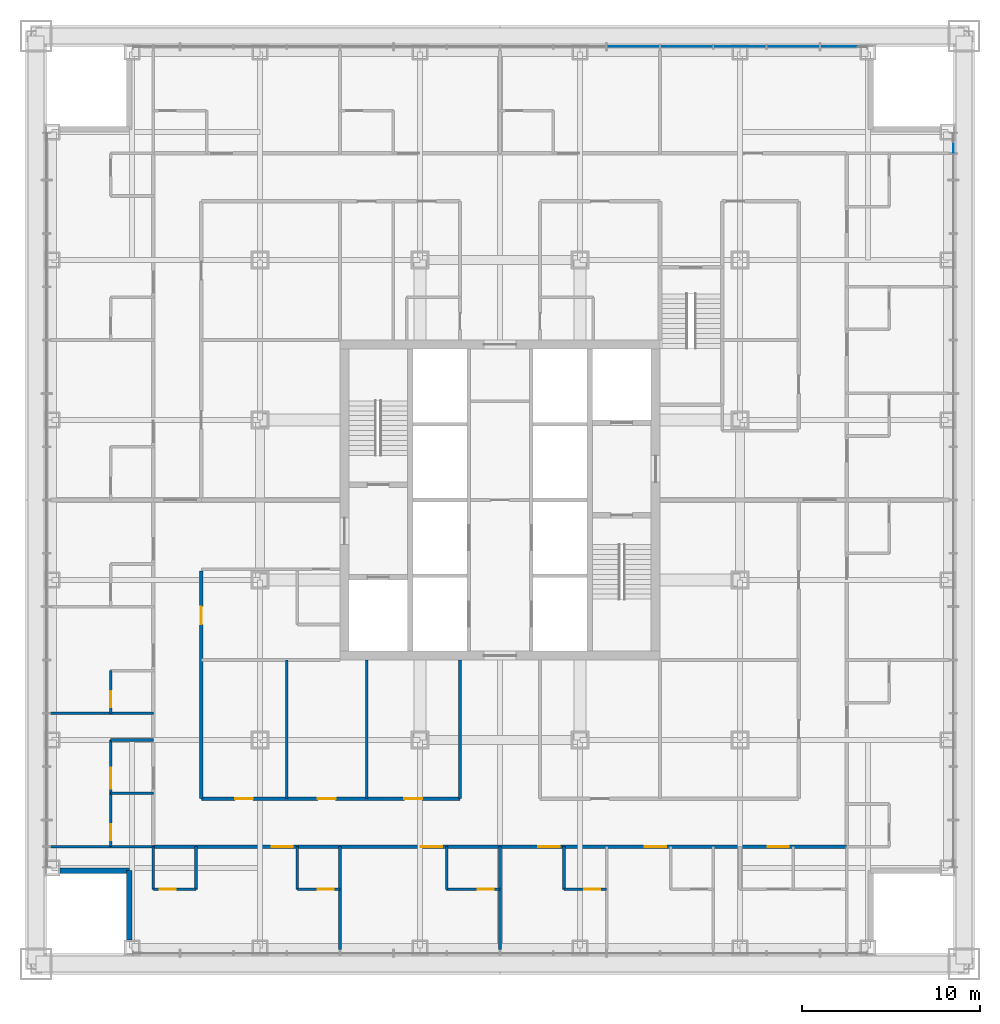
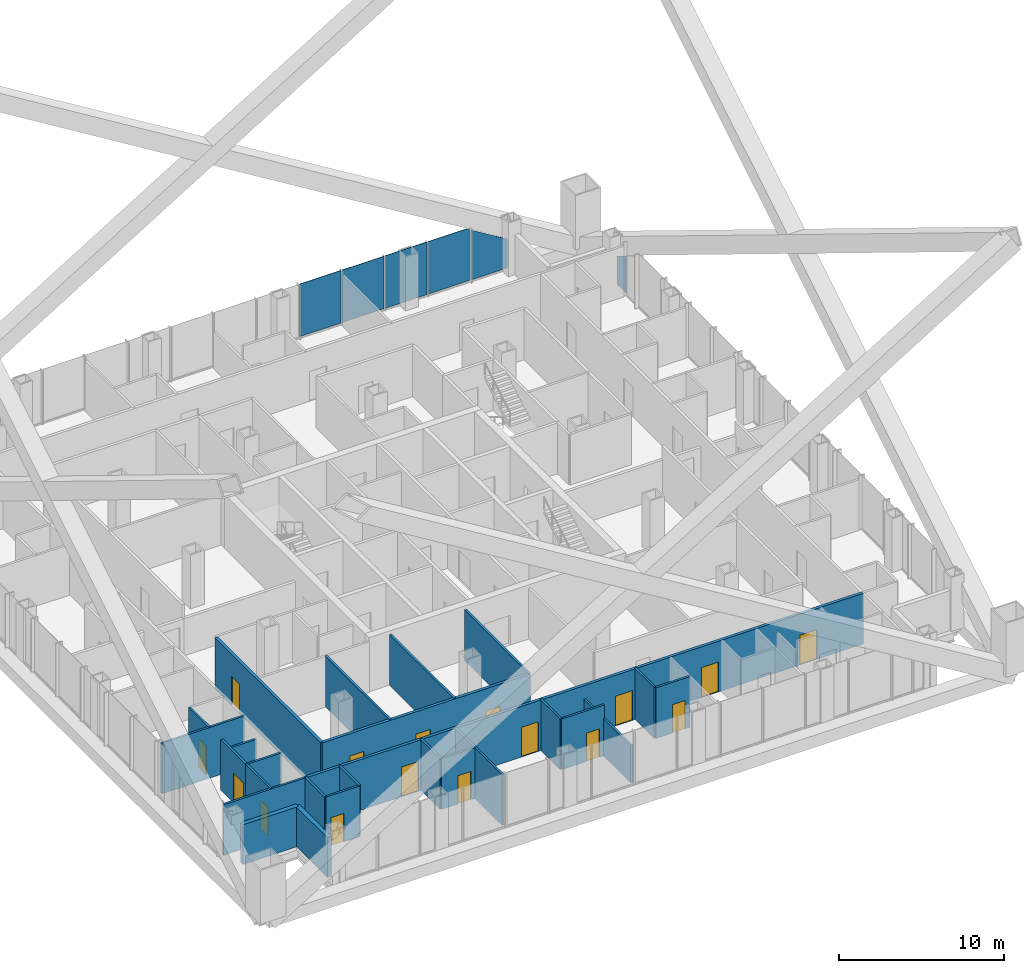
# One storey, part 12 of 21: 26 walls, 16 doors, 6 plates, 16 openings, 2 elements without a shape of their own.
"""IFC4 building model written with IfcOpenShell, lengths in metres."""

from ifc_helpers import new_model, si_unit, direction, frame, frame_2d, origin, origin_2d, place, context, subcontext, project, spatial, polyline, rectangle, outline, extrude, material, layer, layer_set, type_object, element, fill, aggregate, save


model = new_model("IFC4")

# Units and contexts
model_context = context("Model", 3, precision=1e-05, world=origin(), true_north=direction((0.0, 1.0)))
body_context = subcontext(model_context, "Body", "Model", "MODEL_VIEW")
ifc_project = project(units=[si_unit("LENGTHUNIT", "METRE"), si_unit("AREAUNIT", "SQUARE_METRE"), si_unit("VOLUMEUNIT", "CUBIC_METRE"), si_unit("PLANEANGLEUNIT", "RADIAN"), si_unit("MASSUNIT", "GRAM", prefix="KILO")], contexts=[model_context])

# Site, building, storey
site_placement = place(None, origin())
site = spatial("IfcSite", under=ifc_project, at=site_placement, CompositionType="ELEMENT")
building_placement = place(site_placement, origin())
building = spatial("IfcBuilding", under=site, at=building_placement, Name="Malebo Sky Hospital", CompositionType="ELEMENT")
storey_placement = place(building_placement, frame((0.0, 0.0, 31.0)))
storey = spatial("IfcBuildingStorey", under=building, at=storey_placement, Name="L06", CompositionType="ELEMENT", Elevation=31.0)

# Curtain wall, plates
ifc_material_1 = material(Name="Anodised aluminium, natural silver", Category="aluminium")
ifc_layer_1 = layer(ifc_material_1, 0.25)
ifc_layer_set_1 = layer_set([ifc_layer_1], Name="WARD CURTAIN WALL NORTH AND SOUTH")
curtain_wall_type_1 = type_object("IfcCurtainWallType", Name="WARD CURTAIN WALL NORTH AND SOUTH", PredefinedType="NOTDEFINED", material=ifc_layer_set_1)
curtain_wall_1_placement = place(storey_placement, origin())
curtain_wall_1 = element("IfcCurtainWall", 1, at=curtain_wall_1_placement, inside=storey, type_object=curtain_wall_type_1, Name="NS curtain wall N", PredefinedType="NOTDEFINED")
ifc_material_2 = material(Name="Clear low-iron double glazing", Category="glass")
ifc_layer_2 = layer(ifc_material_2, 0.031982421875)
ifc_layer_set_2 = layer_set([ifc_layer_2], Name="VISION PANEL CLEAR 32")
plate_type = type_object("IfcPlateType", Name="VISION PANEL CLEAR 32", PredefinedType="CURTAIN_PANEL", material=ifc_layer_set_2)
plate_1_placement = place(storey_placement, frame((67.5, 87.5, 0.10009765625), z_axis=(0.0, 0.0, 1.0), x_axis=(1.0, 0.0, 0.0)))
plate_1 = element("IfcPlate", 2, at=plate_1_placement, type_object=plate_type, Name="Panel 11", PredefinedType="CURTAIN_PANEL", context=body_context, shape_type="SweptSolid", body=[
    extrude(rectangle(XDim=2.925048828125, YDim=0.031982421875, at=origin_2d()), origin(), (0.0, 0.0, 1.0), 3.889892578125),
])
plate_2_placement = place(storey_placement, frame((70.5, 87.5, 0.10009765625), z_axis=(0.0, 0.0, 1.0), x_axis=(1.0, 0.0, 0.0)))
plate_2 = element("IfcPlate", 3, at=plate_2_placement, type_object=plate_type, Name="Panel 12", PredefinedType="CURTAIN_PANEL", context=body_context, shape_type="SweptSolid", body=[
    extrude(rectangle(XDim=2.925048828125, YDim=0.031982421875, at=origin_2d()), origin(), (0.0, 0.0, 1.0), 3.889892578125),
])
plate_3_placement = place(storey_placement, frame((73.5, 87.5, 0.10009765625), z_axis=(0.0, 0.0, 1.0), x_axis=(1.0, 0.0, 0.0)))
plate_3 = element("IfcPlate", 4, at=plate_3_placement, type_object=plate_type, Name="Panel 13", PredefinedType="CURTAIN_PANEL", context=body_context, shape_type="SweptSolid", body=[
    extrude(rectangle(XDim=2.925048828125, YDim=0.031982421875, at=origin_2d()), origin(), (0.0, 0.0, 1.0), 3.889892578125),
])
plate_4_placement = place(storey_placement, frame((76.5, 87.5, 0.10009765625), z_axis=(0.0, 0.0, 1.0), x_axis=(1.0, 0.0, 0.0)))
plate_4 = element("IfcPlate", 5, at=plate_4_placement, type_object=plate_type, Name="Panel 14", PredefinedType="CURTAIN_PANEL", context=body_context, shape_type="SweptSolid", body=[
    extrude(outline(polyline([(-1.46240234375, 0.0), (1.46240234375, 0.0), (1.46240234375, 3.7548828125), (1.2421875, 3.889892578125), (-1.46240234375, 3.889892578125), (-1.46240234375, 0.0)])), frame((0.0, 0.01611328125, 0.0), z_axis=(0.0, -1.0, 0.0), x_axis=(1.0, 0.0, 0.0)), (0.0, 0.0, 1.0), 0.031982421875),
])
plate_5_placement = place(storey_placement, frame((79.331298828125, 87.5, 0.10009765625), z_axis=(0.0, 0.0, 1.0), x_axis=(1.0, 0.0, 0.0)))
plate_5 = element("IfcPlate", 6, at=plate_5_placement, type_object=plate_type, Name="Panel 15", PredefinedType="CURTAIN_PANEL", context=body_context, shape_type="SweptSolid", body=[
    extrude(outline(polyline([(-1.293701171875, 0.0), (1.293701171875, 0.0), (1.293701171875, 2.122802734375), (-1.293701171875, 3.708984375), (-1.293701171875, 0.0)])), frame((0.0, 0.01611328125, 0.0), z_axis=(0.0, -1.0, 0.0), x_axis=(1.0, 0.0, 0.0)), (0.0, 0.0, 1.0), 0.031982421875),
])
aggregate(curtain_wall_1, [plate_1, plate_2, plate_3, plate_4, plate_5])

# Curtain wall, plate
ifc_layer_3 = layer(ifc_material_1, 0.25)
ifc_layer_set_3 = layer_set([ifc_layer_3], Name="WARD CURTAIN WALL EAST AND WEST")
curtain_wall_type_2 = type_object("IfcCurtainWallType", Name="WARD CURTAIN WALL EAST AND WEST", PredefinedType="NOTDEFINED", material=ifc_layer_set_3)
curtain_wall_2_placement = place(storey_placement, origin())
curtain_wall_2 = element("IfcCurtainWall", 7, at=curtain_wall_2_placement, inside=storey, type_object=curtain_wall_type_2, Name="EW curtain wall E", PredefinedType="NOTDEFINED")
plate_6_placement = place(storey_placement, frame((85.5, 82.081298828125, 0.099853515625), z_axis=(0.0, 0.0, 1.0), x_axis=(0.0, -1.0, 0.0)))
plate_6 = element("IfcPlate", 8, at=plate_6_placement, type_object=plate_type, Name="Panel 1", PredefinedType="CURTAIN_PANEL", context=body_context, shape_type="SweptSolid", body=[
    extrude(outline(polyline([(-0.543701171875, 0.0), (0.543701171875, 0.0), (0.543701171875, 2.78955078125), (-0.543701171875, 2.122802734375), (-0.543701171875, 0.0)])), frame((0.0, 0.01611328125, 0.0), z_axis=(0.0, -1.0, 0.0), x_axis=(1.0, 0.0, 0.0)), (0.0, 0.0, 1.0), 0.031982421875),
])
aggregate(curtain_wall_2, [plate_6])

# Wall, opening, door
ifc_material_3 = material(Name="Gypsum board on steel studs", Category="steel")
ifc_layer_4 = layer(ifc_material_3, 0.199951171875)
ifc_layer_set_4 = layer_set([ifc_layer_4], Name="CORRIDOR WALL 200")
wall_type_1 = type_object("IfcWallType", Name="CORRIDOR WALL 200", PredefinedType="PARTITIONING", material=ifc_layer_set_4)
wall_1_placement = place(storey_placement, frame((43.199951171875, 45.199951171875, 0.0), z_axis=(0.0, 0.0, 1.0), x_axis=(0.0, 1.0, 0.0)))
wall_1 = element("IfcWall", 9, at=wall_1_placement, inside=storey, type_object=wall_type_1, Name="Corridor Wall 200 WCI1", PredefinedType="PARTITIONING", context=body_context, shape_type="SweptSolid", body=[
    extrude(rectangle(XDim=12.800048828125, YDim=0.199951171875, at=frame_2d((6.39990234375, 0.0))), origin(), (0.0, 0.0, 1.0), 3.75),
])
opening_1_placement = place(wall_1_placement, frame((9.800048828125, 0.0, 0.0)))
opening_1 = element("IfcOpeningElement", 10, at=opening_1_placement, cuts=wall_1, Name="Opening D03", PredefinedType="OPENING", context=body_context, shape_type="SweptSolid", body=[
    extrude(rectangle(XDim=1.0, YDim=2.10009765625, at=frame_2d((0.5, 1.050048828125))), frame((0.0, 0.10986328125, 0.0), z_axis=(0.0, -1.0, 0.0), x_axis=(1.0, 0.0, 0.0)), (0.0, 0.0, 1.0), 0.219970703125),
])
ifc_material_4 = material(Name="Hardwood-faced door leaf in steel frame", Category="steel")
door_type_1 = type_object("IfcDoorType", Name="ROOM DOOR 1000", OperationType="SINGLE_SWING_LEFT", PredefinedType="DOOR", material=ifc_material_4)
door_1_placement = place(opening_1_placement, origin())
door_1 = element("IfcDoor", 11, at=door_1_placement, inside=storey, type_object=door_type_1, Name="Equipment store door", OperationType="SINGLE_SWING_LEFT", OverallHeight=2.10009765625, OverallWidth=1.0, PredefinedType="DOOR", context=body_context, shape_type="SweptSolid", body=[
    extrude(rectangle(XDim=1.0, YDim=2.10009765625, at=frame_2d((0.5, 1.050048828125))), frame((0.0, 0.02490234375, 0.0), z_axis=(0.0, -1.0, 0.0), x_axis=(1.0, 0.0, 0.0)), (0.0, 0.0, 1.0), 0.050048828125),
])
fill(opening_1, door_1)

# Wall, openings, doors
wall_2_placement = place(storey_placement, frame((79.5, 42.5, 0.0), z_axis=(0.0, 0.0, 1.0), x_axis=(-1.0, 0.0, 0.0)))
wall_2 = element("IfcWall", 12, at=wall_2_placement, inside=storey, type_object=wall_type_1, Name="Corridor Wall 200 SCO", PredefinedType="PARTITIONING", context=body_context, shape_type="SweptSolid", body=[
    extrude(rectangle(XDim=39.0, YDim=0.199951171875, at=frame_2d((19.5, 0.0))), origin(), (0.0, 0.0, 1.0), 3.75),
])
opening_2_placement = place(wall_2_placement, frame((3.25, 0.0, 0.0)))
opening_2 = element("IfcOpeningElement", 13, at=opening_2_placement, cuts=wall_2, Name="Opening D18", PredefinedType="OPENING", context=body_context, shape_type="SweptSolid", body=[
    extrude(rectangle(XDim=1.199951171875, YDim=2.199951171875, at=frame_2d((0.60009765625, 1.10009765625))), frame((0.0, 0.10986328125, 0.0), z_axis=(0.0, -1.0, 0.0), x_axis=(1.0, 0.0, 0.0)), (0.0, 0.0, 1.0), 0.219970703125),
])
opening_3_placement = place(wall_2_placement, frame((10.14990234375, 0.0, 0.0)))
opening_3 = element("IfcOpeningElement", 14, at=opening_3_placement, cuts=wall_2, Name="Opening D01", PredefinedType="OPENING", context=body_context, shape_type="SweptSolid", body=[
    extrude(rectangle(XDim=1.199951171875, YDim=2.199951171875, at=frame_2d((0.60009765625, 1.10009765625))), frame((0.0, 0.10986328125, 0.0), z_axis=(0.0, -1.0, 0.0), x_axis=(1.0, 0.0, 0.0)), (0.0, 0.0, 1.0), 0.219970703125),
])
opening_4_placement = place(wall_2_placement, frame((16.14990234375, 0.0, 0.0)))
opening_4 = element("IfcOpeningElement", 15, at=opening_4_placement, cuts=wall_2, Name="Opening D01", PredefinedType="OPENING", context=body_context, shape_type="SweptSolid", body=[
    extrude(rectangle(XDim=1.199951171875, YDim=2.199951171875, at=frame_2d((0.60009765625, 1.10009765625))), frame((0.0, 0.10986328125, 0.0), z_axis=(0.0, -1.0, 0.0), x_axis=(1.0, 0.0, 0.0)), (0.0, 0.0, 1.0), 0.219970703125),
])
opening_5_placement = place(wall_2_placement, frame((22.75, 0.0, 0.0)))
opening_5 = element("IfcOpeningElement", 16, at=opening_5_placement, cuts=wall_2, Name="Opening D01", PredefinedType="OPENING", context=body_context, shape_type="SweptSolid", body=[
    extrude(rectangle(XDim=1.199951171875, YDim=2.199951171875, at=frame_2d((0.60009765625, 1.10009765625))), frame((0.0, 0.10986328125, 0.0), z_axis=(0.0, -1.0, 0.0), x_axis=(1.0, 0.0, 0.0)), (0.0, 0.0, 1.0), 0.219970703125),
])
opening_6_placement = place(wall_2_placement, frame((31.14990234375, 0.0, 0.0)))
opening_6 = element("IfcOpeningElement", 17, at=opening_6_placement, cuts=wall_2, Name="Opening D01", PredefinedType="OPENING", context=body_context, shape_type="SweptSolid", body=[
    extrude(rectangle(XDim=1.199951171875, YDim=2.199951171875, at=frame_2d((0.60009765625, 1.10009765625))), frame((0.0, 0.10986328125, 0.0), z_axis=(0.0, -1.0, 0.0), x_axis=(1.0, 0.0, 0.0)), (0.0, 0.0, 1.0), 0.219970703125),
])
door_type_2 = type_object("IfcDoorType", Name="ANTEROOM DOOR 1200", OperationType="SINGLE_SWING_LEFT", PredefinedType="DOOR", material=ifc_material_4)
door_2_placement = place(opening_2_placement, origin())
door_2 = element("IfcDoor", 18, at=door_2_placement, inside=storey, type_object=door_type_2, Name="Anteroom door", OperationType="SINGLE_SWING_LEFT", OverallHeight=2.199951171875, OverallWidth=1.199951171875, PredefinedType="DOOR", context=body_context, shape_type="SweptSolid", body=[
    extrude(rectangle(XDim=1.199951171875, YDim=2.199951171875, at=frame_2d((0.60009765625, 1.10009765625))), frame((0.0, 0.02490234375, 0.0), z_axis=(0.0, -1.0, 0.0), x_axis=(1.0, 0.0, 0.0)), (0.0, 0.0, 1.0), 0.050048828125),
])
fill(opening_2, door_2)
door_type_3 = type_object("IfcDoorType", Name="BED DOOR 1200", OperationType="SINGLE_SWING_LEFT", PredefinedType="DOOR", material=ifc_material_4)
door_3_placement = place(opening_3_placement, origin())
door_3 = element("IfcDoor", 19, at=door_3_placement, inside=storey, type_object=door_type_3, Name="Single bed room door", OperationType="SINGLE_SWING_LEFT", OverallHeight=2.199951171875, OverallWidth=1.199951171875, PredefinedType="DOOR", context=body_context, shape_type="SweptSolid", body=[
    extrude(rectangle(XDim=1.199951171875, YDim=2.199951171875, at=frame_2d((0.60009765625, 1.10009765625))), frame((0.0, 0.02490234375, 0.0), z_axis=(0.0, -1.0, 0.0), x_axis=(1.0, 0.0, 0.0)), (0.0, 0.0, 1.0), 0.050048828125),
])
fill(opening_3, door_3)
door_4_placement = place(opening_4_placement, origin())
door_4 = element("IfcDoor", 20, at=door_4_placement, inside=storey, type_object=door_type_3, Name="Single bed room door", OperationType="SINGLE_SWING_LEFT", OverallHeight=2.199951171875, OverallWidth=1.199951171875, PredefinedType="DOOR", context=body_context, shape_type="SweptSolid", body=[
    extrude(rectangle(XDim=1.199951171875, YDim=2.199951171875, at=frame_2d((0.60009765625, 1.10009765625))), frame((0.0, 0.02490234375, 0.0), z_axis=(0.0, -1.0, 0.0), x_axis=(1.0, 0.0, 0.0)), (0.0, 0.0, 1.0), 0.050048828125),
])
fill(opening_4, door_4)
door_5_placement = place(opening_5_placement, origin())
door_5 = element("IfcDoor", 21, at=door_5_placement, inside=storey, type_object=door_type_3, Name="Two-bed room door", OperationType="SINGLE_SWING_LEFT", OverallHeight=2.199951171875, OverallWidth=1.199951171875, PredefinedType="DOOR", context=body_context, shape_type="SweptSolid", body=[
    extrude(rectangle(XDim=1.199951171875, YDim=2.199951171875, at=frame_2d((0.60009765625, 1.10009765625))), frame((0.0, 0.02490234375, 0.0), z_axis=(0.0, -1.0, 0.0), x_axis=(1.0, 0.0, 0.0)), (0.0, 0.0, 1.0), 0.050048828125),
])
fill(opening_5, door_5)
door_6_placement = place(opening_6_placement, origin())
door_6 = element("IfcDoor", 22, at=door_6_placement, inside=storey, type_object=door_type_3, Name="Four-bed bay door", OperationType="SINGLE_SWING_LEFT", OverallHeight=2.199951171875, OverallWidth=1.199951171875, PredefinedType="DOOR", context=body_context, shape_type="SweptSolid", body=[
    extrude(rectangle(XDim=1.199951171875, YDim=2.199951171875, at=frame_2d((0.60009765625, 1.10009765625))), frame((0.0, 0.02490234375, 0.0), z_axis=(0.0, -1.0, 0.0), x_axis=(1.0, 0.0, 0.0)), (0.0, 0.0, 1.0), 0.050048828125),
])
fill(opening_6, door_6)

wall_3_placement = place(storey_placement, frame((57.75, 45.199951171875, 0.0), z_axis=(0.0, 0.0, 1.0), x_axis=(-1.0, 0.0, 0.0)))
wall_3 = element("IfcWall", 23, at=wall_3_placement, inside=storey, type_object=wall_type_1, Name="Corridor Wall 200 SCI2", PredefinedType="PARTITIONING", context=body_context, shape_type="SweptSolid", body=[
    extrude(rectangle(XDim=14.550048828125, YDim=0.199951171875, at=frame_2d((7.27490234375, 0.0))), origin(), (0.0, 0.0, 1.0), 3.75),
])
opening_7_placement = place(wall_3_placement, frame((2.125, 0.0, 0.0)))
opening_7 = element("IfcOpeningElement", 24, at=opening_7_placement, cuts=wall_3, Name="Opening D03", PredefinedType="OPENING", context=body_context, shape_type="SweptSolid", body=[
    extrude(rectangle(XDim=1.0, YDim=2.10009765625, at=frame_2d((0.5, 1.050048828125))), frame((0.0, 0.10986328125, 0.0), z_axis=(0.0, -1.0, 0.0), x_axis=(1.0, 0.0, 0.0)), (0.0, 0.0, 1.0), 0.219970703125),
])
opening_8_placement = place(wall_3_placement, frame((7.0, 0.0, 0.0)))
opening_8 = element("IfcOpeningElement", 25, at=opening_8_placement, cuts=wall_3, Name="Opening D03", PredefinedType="OPENING", context=body_context, shape_type="SweptSolid", body=[
    extrude(rectangle(XDim=1.0, YDim=2.10009765625, at=frame_2d((0.5, 1.050048828125))), frame((0.0, 0.10986328125, 0.0), z_axis=(0.0, -1.0, 0.0), x_axis=(1.0, 0.0, 0.0)), (0.0, 0.0, 1.0), 0.219970703125),
])
opening_9_placement = place(wall_3_placement, frame((11.64990234375, 0.0, 0.0)))
opening_9 = element("IfcOpeningElement", 26, at=opening_9_placement, cuts=wall_3, Name="Opening D03", PredefinedType="OPENING", context=body_context, shape_type="SweptSolid", body=[
    extrude(rectangle(XDim=1.0, YDim=2.10009765625, at=frame_2d((0.5, 1.050048828125))), frame((0.0, 0.10986328125, 0.0), z_axis=(0.0, -1.0, 0.0), x_axis=(1.0, 0.0, 0.0)), (0.0, 0.0, 1.0), 0.219970703125),
])
door_7_placement = place(opening_7_placement, origin())
door_7 = element("IfcDoor", 27, at=door_7_placement, inside=storey, type_object=door_type_1, Name="Discharge lounge door", OperationType="SINGLE_SWING_LEFT", OverallHeight=2.10009765625, OverallWidth=1.0, PredefinedType="DOOR", context=body_context, shape_type="SweptSolid", body=[
    extrude(rectangle(XDim=1.0, YDim=2.10009765625, at=frame_2d((0.5, 1.050048828125))), frame((0.0, 0.02490234375, 0.0), z_axis=(0.0, -1.0, 0.0), x_axis=(1.0, 0.0, 0.0)), (0.0, 0.0, 1.0), 0.050048828125),
])
fill(opening_7, door_7)
door_8_placement = place(opening_8_placement, origin())
door_8 = element("IfcDoor", 28, at=door_8_placement, inside=storey, type_object=door_type_1, Name="Ward office door", OperationType="SINGLE_SWING_LEFT", OverallHeight=2.10009765625, OverallWidth=1.0, PredefinedType="DOOR", context=body_context, shape_type="SweptSolid", body=[
    extrude(rectangle(XDim=1.0, YDim=2.10009765625, at=frame_2d((0.5, 1.050048828125))), frame((0.0, 0.02490234375, 0.0), z_axis=(0.0, -1.0, 0.0), x_axis=(1.0, 0.0, 0.0)), (0.0, 0.0, 1.0), 0.050048828125),
])
fill(opening_8, door_8)
door_9_placement = place(opening_9_placement, origin())
door_9 = element("IfcDoor", 29, at=door_9_placement, inside=storey, type_object=door_type_1, Name="Dirty utility room door", OperationType="SINGLE_SWING_RIGHT", OverallHeight=2.10009765625, OverallWidth=1.0, PredefinedType="DOOR", context=body_context, shape_type="SweptSolid", body=[
    extrude(rectangle(XDim=1.0, YDim=2.10009765625, at=frame_2d((0.5, 1.050048828125))), frame((0.0, 0.02490234375, 0.0), z_axis=(0.0, -1.0, 0.0), x_axis=(1.0, 0.0, 0.0)), (0.0, 0.0, 1.0), 0.050048828125),
])
fill(opening_9, door_9)

# Walls
ifc_material_5 = material(Name="Anodised aluminium rainscreen on steel framing", Category="steel")
ifc_layer_5 = layer(ifc_material_5, 0.300048828125)
ifc_layer_set_5 = layer_set([ifc_layer_5], Name="NOTCH RAINSCREEN WALL 300")
wall_type_2 = type_object("IfcWallType", Name="NOTCH RAINSCREEN WALL 300", PredefinedType="ELEMENTEDWALL", material=ifc_layer_set_5)
for number, where, z_axis, x_axis, name in (
    (30, (39.14990234375, 37.25, 0.0), (0.0, 0.0, 1.0), (0.0, 1.0, 0.0), "Notch rainscreen wall S1 L06"),
    (31, (39.14990234375, 41.14990234375, 0.0), (0.0, 0.0, 1.0), (-1.0, 0.0, 0.0), "Notch rainscreen wall S2 L06"),
):
    element("IfcWall", number, at=place(storey_placement, frame(where, z_axis=z_axis, x_axis=x_axis)), inside=storey, type_object=wall_type_2, Name=name, PredefinedType="ELEMENTEDWALL", context=body_context, shape_type="SweptSolid", body=[
        extrude(rectangle(XDim=3.89990234375, YDim=0.300048828125, at=frame_2d((1.949951171875, 0.0))), origin(), (0.0, 0.0, 1.0), 2.949951171875),
    ])
ifc_layer_6 = layer(ifc_material_3, 0.14990234375)
ifc_layer_set_6 = layer_set([ifc_layer_6], Name="PARTITION 150")
wall_type_3 = type_object("IfcWallType", Name="PARTITION 150", PredefinedType="PARTITIONING", material=ifc_layer_set_6)
for number, where, z_axis, x_axis, name in (
    (32, (40.5, 50.0, 0.0), (0.0, 0.0, 1.0), (-1.0, 0.0, 0.0), "Partition 150 WP-12.0"),
    (33, (40.5, 42.5, 0.0), (0.0, 0.0, 1.0), (-1.0, 0.0, 0.0), "Partition 150 WP0"),
):
    element("IfcWall", number, at=place(storey_placement, frame(where, z_axis=z_axis, x_axis=x_axis)), inside=storey, type_object=wall_type_3, Name=name, PredefinedType="PARTITIONING", context=body_context, shape_type="SweptSolid", body=[
        extrude(rectangle(XDim=5.77490234375, YDim=0.14990234375, at=frame_2d((2.887451171875, 0.0))), origin(), (0.0, 0.0, 1.0), 3.75),
    ])

# Wall, opening, door
wall_4_placement = place(storey_placement, frame((38.10009765625, 42.5, 0.0), z_axis=(0.0, 0.0, 1.0), x_axis=(0.0, 1.0, 0.0)))
wall_4 = element("IfcWall", 34, at=wall_4_placement, inside=storey, type_object=wall_type_3, Name="Partition 150 WE0F", PredefinedType="PARTITIONING", context=body_context, shape_type="SweptSolid", body=[
    extrude(rectangle(XDim=3.0, YDim=0.14990234375, at=frame_2d((1.5, 0.0))), origin(), (0.0, 0.0, 1.0), 3.75),
])
opening_10_placement = place(wall_4_placement, frame((0.35009765625, 0.0, 0.0)))
opening_10 = element("IfcOpeningElement", 35, at=opening_10_placement, cuts=wall_4, Name="Opening D02", PredefinedType="OPENING", context=body_context, shape_type="SweptSolid", body=[
    extrude(rectangle(XDim=0.89990234375, YDim=2.10009765625, at=frame_2d((0.449951171875, 1.050048828125))), frame((0.0, 0.0849609375, 0.0), z_axis=(0.0, -1.0, 0.0), x_axis=(1.0, 0.0, 0.0)), (0.0, 0.0, 1.0), 0.169921875),
])
door_type_4 = type_object("IfcDoorType", Name="EN-SUITE DOOR 900", OperationType="SINGLE_SWING_LEFT", PredefinedType="DOOR", material=ifc_material_4)
door_10_placement = place(opening_10_placement, origin())
door_10 = element("IfcDoor", 36, at=door_10_placement, inside=storey, type_object=door_type_4, Name="En-suite door", OperationType="SINGLE_SWING_LEFT", OverallHeight=2.10009765625, OverallWidth=0.89990234375, PredefinedType="DOOR", context=body_context, shape_type="SweptSolid", body=[
    extrude(rectangle(XDim=0.89990234375, YDim=2.10009765625, at=frame_2d((0.449951171875, 1.050048828125))), frame((0.0, 0.02490234375, 0.0), z_axis=(0.0, -1.0, 0.0), x_axis=(1.0, 0.0, 0.0)), (0.0, 0.0, 1.0), 0.050048828125),
])
fill(opening_10, door_10)

# Wall
wall_5_placement = place(storey_placement, frame((40.5, 45.5, 0.0), z_axis=(0.0, 0.0, 1.0), x_axis=(-1.0, 0.0, 0.0)))
element("IfcWall", 37, at=wall_5_placement, inside=storey, type_object=wall_type_3, Name="Partition 150 WE0S", PredefinedType="PARTITIONING", context=body_context, shape_type="SweptSolid", body=[
    extrude(rectangle(XDim=2.39990234375, YDim=0.14990234375, at=frame_2d((1.199951171875, 0.0))), origin(), (0.0, 0.0, 1.0), 3.75),
])

# Wall, opening, door
wall_6_placement = place(storey_placement, frame((38.10009765625, 50.0, 0.0), z_axis=(0.0, 0.0, 1.0), x_axis=(0.0, 1.0, 0.0)))
wall_6 = element("IfcWall", 38, at=wall_6_placement, inside=storey, type_object=wall_type_3, Name="Partition 150 WE1F", PredefinedType="PARTITIONING", context=body_context, shape_type="SweptSolid", body=[
    extrude(rectangle(XDim=2.39990234375, YDim=0.14990234375, at=frame_2d((1.199951171875, 0.0))), origin(), (0.0, 0.0, 1.0), 3.75),
])
opening_11_placement = place(wall_6_placement, frame((0.35009765625, 0.0, 0.0)))
opening_11 = element("IfcOpeningElement", 39, at=opening_11_placement, cuts=wall_6, Name="Opening D02", PredefinedType="OPENING", context=body_context, shape_type="SweptSolid", body=[
    extrude(rectangle(XDim=0.89990234375, YDim=2.10009765625, at=frame_2d((0.449951171875, 1.050048828125))), frame((0.0, 0.0849609375, 0.0), z_axis=(0.0, -1.0, 0.0), x_axis=(1.0, 0.0, 0.0)), (0.0, 0.0, 1.0), 0.169921875),
])
door_11_placement = place(opening_11_placement, origin())
door_11 = element("IfcDoor", 40, at=door_11_placement, inside=storey, type_object=door_type_4, Name="En-suite door", OperationType="SINGLE_SWING_LEFT", OverallHeight=2.10009765625, OverallWidth=0.89990234375, PredefinedType="DOOR", context=body_context, shape_type="SweptSolid", body=[
    extrude(rectangle(XDim=0.89990234375, YDim=2.10009765625, at=frame_2d((0.449951171875, 1.050048828125))), frame((0.0, 0.02490234375, 0.0), z_axis=(0.0, -1.0, 0.0), x_axis=(1.0, 0.0, 0.0)), (0.0, 0.0, 1.0), 0.050048828125),
])
fill(opening_11, door_11)

# Walls
wall_7_placement = place(storey_placement, frame((60.0, 42.5, 0.0), z_axis=(0.0, 0.0, 1.0), x_axis=(0.0, -1.0, 0.0)))
element("IfcWall", 41, at=wall_7_placement, inside=storey, type_object=wall_type_3, Name="Partition 150 SP+0.0", PredefinedType="PARTITIONING", context=body_context, shape_type="SweptSolid", body=[
    extrude(rectangle(XDim=5.77490234375, YDim=0.14990234375, at=frame_2d((2.887451171875, 0.0))), origin(), (0.0, 0.0, 1.0), 2.75),
])
wall_8_placement = place(storey_placement, frame((51.0, 42.5, 0.0), z_axis=(0.0, 0.0, 1.0), x_axis=(0.0, -1.0, 0.0)))
element("IfcWall", 42, at=wall_8_placement, inside=storey, type_object=wall_type_3, Name="Partition 150 SP+9.0", PredefinedType="PARTITIONING", context=body_context, shape_type="SweptSolid", body=[
    extrude(rectangle(XDim=5.77490234375, YDim=0.14990234375, at=frame_2d((2.887451171875, 0.0))), origin(), (0.0, 0.0, 1.0), 3.75),
])

# Wall, opening, door
wall_9_placement = place(storey_placement, frame((66.0, 40.10009765625, 0.0), z_axis=(0.0, 0.0, 1.0), x_axis=(-1.0, 0.0, 0.0)))
wall_9 = element("IfcWall", 43, at=wall_9_placement, inside=storey, type_object=wall_type_3, Name="Partition 150 SE2F", PredefinedType="PARTITIONING", context=body_context, shape_type="SweptSolid", body=[
    extrude(rectangle(XDim=2.39990234375, YDim=0.14990234375, at=frame_2d((1.199951171875, 0.0))), origin(), (0.0, 0.0, 1.0), 3.75),
])
opening_12_placement = place(wall_9_placement, frame((0.35009765625, 0.0, 0.0)))
opening_12 = element("IfcOpeningElement", 44, at=opening_12_placement, cuts=wall_9, Name="Opening D02", PredefinedType="OPENING", context=body_context, shape_type="SweptSolid", body=[
    extrude(rectangle(XDim=0.89990234375, YDim=2.10009765625, at=frame_2d((0.449951171875, 1.050048828125))), frame((0.0, 0.0849609375, 0.0), z_axis=(0.0, -1.0, 0.0), x_axis=(1.0, 0.0, 0.0)), (0.0, 0.0, 1.0), 0.169921875),
])
door_12_placement = place(opening_12_placement, origin())
door_12 = element("IfcDoor", 45, at=door_12_placement, inside=storey, type_object=door_type_4, Name="En-suite door", OperationType="SINGLE_SWING_LEFT", OverallHeight=2.10009765625, OverallWidth=0.89990234375, PredefinedType="DOOR", context=body_context, shape_type="SweptSolid", body=[
    extrude(rectangle(XDim=0.89990234375, YDim=2.10009765625, at=frame_2d((0.449951171875, 1.050048828125))), frame((0.0, 0.02490234375, 0.0), z_axis=(0.0, -1.0, 0.0), x_axis=(1.0, 0.0, 0.0)), (0.0, 0.0, 1.0), 0.050048828125),
])
fill(opening_12, door_12)

# Wall
wall_10_placement = place(storey_placement, frame((63.60009765625, 42.5, 0.0), z_axis=(0.0, 0.0, 1.0), x_axis=(0.0, -1.0, 0.0)))
element("IfcWall", 46, at=wall_10_placement, inside=storey, type_object=wall_type_3, Name="Partition 150 SE2S", PredefinedType="PARTITIONING", context=body_context, shape_type="SweptSolid", body=[
    extrude(rectangle(XDim=2.39990234375, YDim=0.14990234375, at=frame_2d((1.199951171875, 0.0))), origin(), (0.0, 0.0, 1.0), 3.75),
])

# Wall, opening, door
wall_11_placement = place(storey_placement, frame((60.0, 40.10009765625, 0.0), z_axis=(0.0, 0.0, 1.0), x_axis=(-1.0, 0.0, 0.0)))
wall_11 = element("IfcWall", 47, at=wall_11_placement, inside=storey, type_object=wall_type_3, Name="Partition 150 SE3F", PredefinedType="PARTITIONING", context=body_context, shape_type="SweptSolid", body=[
    extrude(rectangle(XDim=3.0, YDim=0.14990234375, at=frame_2d((1.5, 0.0))), origin(), (0.0, 0.0, 1.0), 3.75),
])
opening_13_placement = place(wall_11_placement, frame((0.35009765625, 0.0, 0.0)))
opening_13 = element("IfcOpeningElement", 48, at=opening_13_placement, cuts=wall_11, Name="Opening D02", PredefinedType="OPENING", context=body_context, shape_type="SweptSolid", body=[
    extrude(rectangle(XDim=0.89990234375, YDim=2.10009765625, at=frame_2d((0.449951171875, 1.050048828125))), frame((0.0, 0.0849609375, 0.0), z_axis=(0.0, -1.0, 0.0), x_axis=(1.0, 0.0, 0.0)), (0.0, 0.0, 1.0), 0.169921875),
])
door_13_placement = place(opening_13_placement, origin())
door_13 = element("IfcDoor", 49, at=door_13_placement, inside=storey, type_object=door_type_4, Name="En-suite door", OperationType="SINGLE_SWING_LEFT", OverallHeight=2.10009765625, OverallWidth=0.89990234375, PredefinedType="DOOR", context=body_context, shape_type="SweptSolid", body=[
    extrude(rectangle(XDim=0.89990234375, YDim=2.10009765625, at=frame_2d((0.449951171875, 1.050048828125))), frame((0.0, 0.02490234375, 0.0), z_axis=(0.0, -1.0, 0.0), x_axis=(1.0, 0.0, 0.0)), (0.0, 0.0, 1.0), 0.050048828125),
])
fill(opening_13, door_13)

# Wall
wall_12_placement = place(storey_placement, frame((57.0, 42.5, 0.0), z_axis=(0.0, 0.0, 1.0), x_axis=(0.0, -1.0, 0.0)))
element("IfcWall", 50, at=wall_12_placement, inside=storey, type_object=wall_type_3, Name="Partition 150 SE3S", PredefinedType="PARTITIONING", context=body_context, shape_type="SweptSolid", body=[
    extrude(rectangle(XDim=2.39990234375, YDim=0.14990234375, at=frame_2d((1.199951171875, 0.0))), origin(), (0.0, 0.0, 1.0), 3.75),
])

# Wall, opening, door
wall_13_placement = place(storey_placement, frame((51.0, 40.10009765625, 0.0), z_axis=(0.0, 0.0, 1.0), x_axis=(-1.0, 0.0, 0.0)))
wall_13 = element("IfcWall", 51, at=wall_13_placement, inside=storey, type_object=wall_type_3, Name="Partition 150 SE4F", PredefinedType="PARTITIONING", context=body_context, shape_type="SweptSolid", body=[
    extrude(rectangle(XDim=2.39990234375, YDim=0.14990234375, at=frame_2d((1.199951171875, 0.0))), origin(), (0.0, 0.0, 1.0), 3.75),
])
opening_14_placement = place(wall_13_placement, frame((0.35009765625, 0.0, 0.0)))
opening_14 = element("IfcOpeningElement", 52, at=opening_14_placement, cuts=wall_13, Name="Opening D02", PredefinedType="OPENING", context=body_context, shape_type="SweptSolid", body=[
    extrude(rectangle(XDim=0.89990234375, YDim=2.10009765625, at=frame_2d((0.449951171875, 1.050048828125))), frame((0.0, 0.0849609375, 0.0), z_axis=(0.0, -1.0, 0.0), x_axis=(1.0, 0.0, 0.0)), (0.0, 0.0, 1.0), 0.169921875),
])
door_14_placement = place(opening_14_placement, origin())
door_14 = element("IfcDoor", 53, at=door_14_placement, inside=storey, type_object=door_type_4, Name="En-suite door", OperationType="SINGLE_SWING_LEFT", OverallHeight=2.10009765625, OverallWidth=0.89990234375, PredefinedType="DOOR", context=body_context, shape_type="SweptSolid", body=[
    extrude(rectangle(XDim=0.89990234375, YDim=2.10009765625, at=frame_2d((0.449951171875, 1.050048828125))), frame((0.0, 0.02490234375, 0.0), z_axis=(0.0, -1.0, 0.0), x_axis=(1.0, 0.0, 0.0)), (0.0, 0.0, 1.0), 0.050048828125),
])
fill(opening_14, door_14)

# Wall
wall_14_placement = place(storey_placement, frame((48.60009765625, 42.5, 0.0), z_axis=(0.0, 0.0, 1.0), x_axis=(0.0, -1.0, 0.0)))
element("IfcWall", 54, at=wall_14_placement, inside=storey, type_object=wall_type_3, Name="Partition 150 SE4S", PredefinedType="PARTITIONING", context=body_context, shape_type="SweptSolid", body=[
    extrude(rectangle(XDim=2.39990234375, YDim=0.14990234375, at=frame_2d((1.199951171875, 0.0))), origin(), (0.0, 0.0, 1.0), 3.75),
])

# Wall, opening, door
wall_15_placement = place(storey_placement, frame((42.89990234375, 40.10009765625, 0.0), z_axis=(0.0, 0.0, 1.0), x_axis=(-1.0, 0.0, 0.0)))
wall_15 = element("IfcWall", 55, at=wall_15_placement, inside=storey, type_object=wall_type_3, Name="Partition 150 SG4F", PredefinedType="PARTITIONING", context=body_context, shape_type="SweptSolid", body=[
    extrude(rectangle(XDim=2.39990234375, YDim=0.14990234375, at=frame_2d((1.199951171875, 0.0))), origin(), (0.0, 0.0, 1.0), 3.75),
])
opening_15_placement = place(wall_15_placement, frame((1.14990234375, 0.0, 0.0)))
opening_15 = element("IfcOpeningElement", 56, at=opening_15_placement, cuts=wall_15, Name="Opening D02", PredefinedType="OPENING", context=body_context, shape_type="SweptSolid", body=[
    extrude(rectangle(XDim=0.89990234375, YDim=2.10009765625, at=frame_2d((0.449951171875, 1.050048828125))), frame((0.0, 0.0849609375, 0.0), z_axis=(0.0, -1.0, 0.0), x_axis=(1.0, 0.0, 0.0)), (0.0, 0.0, 1.0), 0.169921875),
])
door_15_placement = place(opening_15_placement, origin())
door_15 = element("IfcDoor", 57, at=door_15_placement, inside=storey, type_object=door_type_4, Name="En-suite door", OperationType="SINGLE_SWING_RIGHT", OverallHeight=2.10009765625, OverallWidth=0.89990234375, PredefinedType="DOOR", context=body_context, shape_type="SweptSolid", body=[
    extrude(rectangle(XDim=0.89990234375, YDim=2.10009765625, at=frame_2d((0.449951171875, 1.050048828125))), frame((0.0, 0.02490234375, 0.0), z_axis=(0.0, -1.0, 0.0), x_axis=(1.0, 0.0, 0.0)), (0.0, 0.0, 1.0), 0.050048828125),
])
fill(opening_15, door_15)

# Walls
for number, where, z_axis, x_axis, name in (
    (58, (42.89990234375, 42.5, 0.0), (0.0, 0.0, 1.0), (0.0, -1.0, 0.0), "Partition 150 SG4S"),
    (59, (40.5, 42.5, 0.0), (0.0, 0.0, 1.0), (0.0, -1.0, 0.0), "Partition 150 SEZ"),
):
    element("IfcWall", number, at=place(storey_placement, frame(where, z_axis=z_axis, x_axis=x_axis)), inside=storey, type_object=wall_type_3, Name=name, PredefinedType="PARTITIONING", context=body_context, shape_type="SweptSolid", body=[
        extrude(rectangle(XDim=2.39990234375, YDim=0.14990234375, at=frame_2d((1.199951171875, 0.0))), origin(), (0.0, 0.0, 1.0), 3.75),
    ])
for number, where, z_axis, x_axis, name in (
    (60, (57.75, 53.0, 0.0), (0.0, 0.0, 1.0), (0.0, -1.0, 0.0), "Partition 150 SSPB"),
    (61, (52.5, 53.0, 0.0), (0.0, 0.0, 1.0), (0.0, -1.0, 0.0), "Partition 150 SSP+7.5"),
    (62, (48.0, 53.0, 0.0), (0.0, 0.0, 1.0), (0.0, -1.0, 0.0), "Partition 150 SSP+12.0"),
):
    element("IfcWall", number, at=place(storey_placement, frame(where, z_axis=z_axis, x_axis=x_axis)), inside=storey, type_object=wall_type_3, Name=name, PredefinedType="PARTITIONING", context=body_context, shape_type="SweptSolid", body=[
        extrude(rectangle(XDim=7.800048828125, YDim=0.14990234375, at=frame_2d((3.89990234375, 0.0))), origin(), (0.0, 0.0, 1.0), 3.75),
    ])

# Wall, opening, door
ifc_material_6 = material(Name="Sealed gypsum board on steel studs, taped to the slab", Category="steel")
ifc_layer_7 = layer(ifc_material_6, 0.14990234375)
ifc_layer_set_7 = layer_set([ifc_layer_7], Name="SEALED ISOLATION PARTITION 150")
wall_type_4 = type_object("IfcWallType", Name="SEALED ISOLATION PARTITION 150", PredefinedType="PARTITIONING", material=ifc_layer_set_7)
wall_16_placement = place(storey_placement, frame((38.10009765625, 45.5, 0.0), z_axis=(0.0, 0.0, 1.0), x_axis=(0.0, 1.0, 0.0)))
wall_16 = element("IfcWall", 63, at=wall_16_placement, inside=storey, type_object=wall_type_4, Name="Sealed Isolation Partition 150 WA0F", PredefinedType="PARTITIONING", context=body_context, shape_type="SweptSolid", body=[
    extrude(rectangle(XDim=3.0, YDim=0.14990234375, at=frame_2d((1.5, 0.0))), origin(), (0.0, 0.0, 1.0), 3.75),
])
opening_16_placement = place(wall_16_placement, frame((0.25, 0.0, 0.0)))
opening_16 = element("IfcOpeningElement", 64, at=opening_16_placement, cuts=wall_16, Name="Opening D19", PredefinedType="OPENING", context=body_context, shape_type="SweptSolid", body=[
    extrude(rectangle(XDim=1.199951171875, YDim=2.199951171875, at=frame_2d((0.60009765625, 1.10009765625))), frame((0.0, 0.0849609375, 0.0), z_axis=(0.0, -1.0, 0.0), x_axis=(1.0, 0.0, 0.0)), (0.0, 0.0, 1.0), 0.169921875),
])
ifc_material_7 = material(Name="Hardwood-faced door leaf with perimeter seals in steel frame", Category="steel")
door_type_5 = type_object("IfcDoorType", Name="SEALED ISOLATION ROOM DOOR 1200", OperationType="SINGLE_SWING_LEFT", PredefinedType="DOOR", material=ifc_material_7)
door_16_placement = place(opening_16_placement, origin())
door_16 = element("IfcDoor", 65, at=door_16_placement, inside=storey, type_object=door_type_5, Name="Isolation room door", OperationType="SINGLE_SWING_LEFT", OverallHeight=2.199951171875, OverallWidth=1.199951171875, PredefinedType="DOOR", context=body_context, shape_type="SweptSolid", body=[
    extrude(rectangle(XDim=1.199951171875, YDim=2.199951171875, at=frame_2d((0.60009765625, 1.10009765625))), frame((0.0, 0.02490234375, 0.0), z_axis=(0.0, -1.0, 0.0), x_axis=(1.0, 0.0, 0.0)), (0.0, 0.0, 1.0), 0.050048828125),
])
fill(opening_16, door_16)

# Wall
wall_17_placement = place(storey_placement, frame((40.5, 48.5, 0.0), z_axis=(0.0, 0.0, 1.0), x_axis=(-1.0, 0.0, 0.0)))
element("IfcWall", 66, at=wall_17_placement, inside=storey, type_object=wall_type_4, Name="Sealed Isolation Partition 150 WA0S", PredefinedType="PARTITIONING", context=body_context, shape_type="SweptSolid", body=[
    extrude(rectangle(XDim=2.39990234375, YDim=0.14990234375, at=frame_2d((1.199951171875, 0.0))), origin(), (0.0, 0.0, 1.0), 2.949951171875),
])

save(model, "model.ifc")
